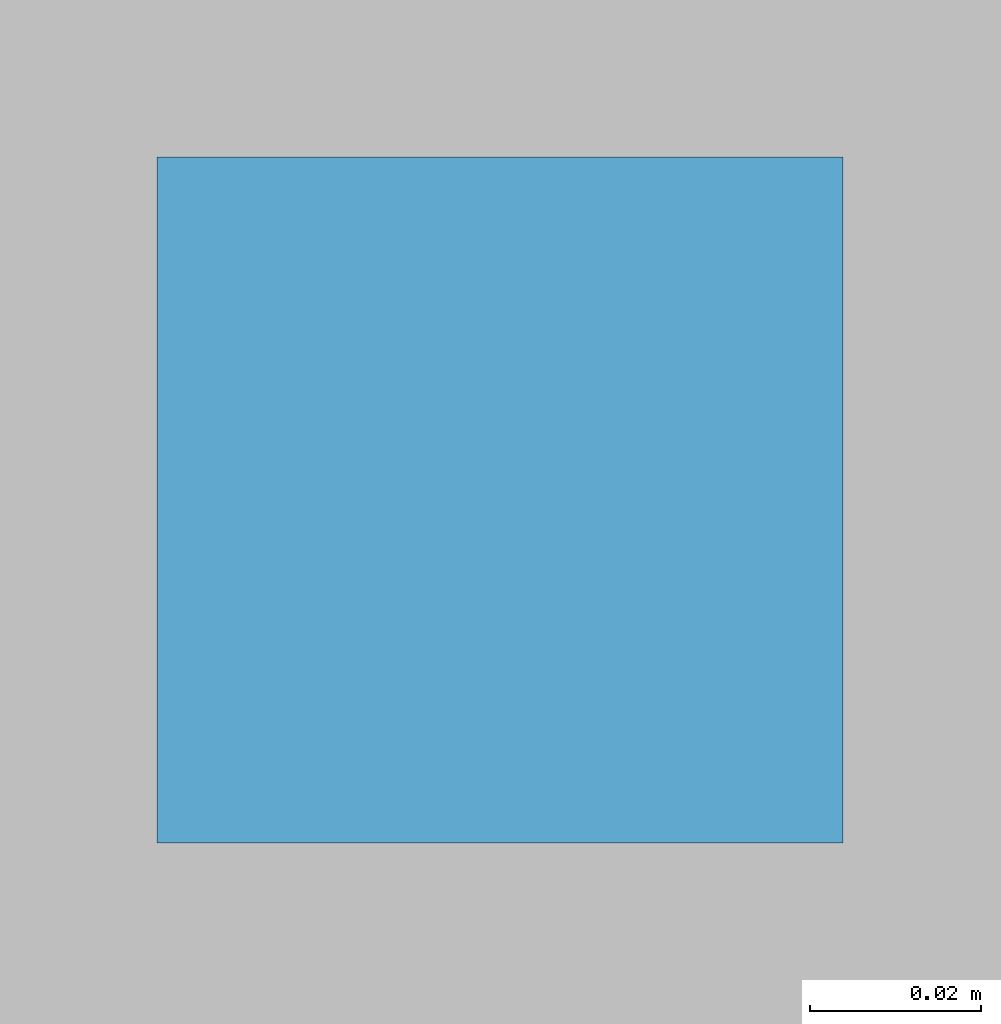
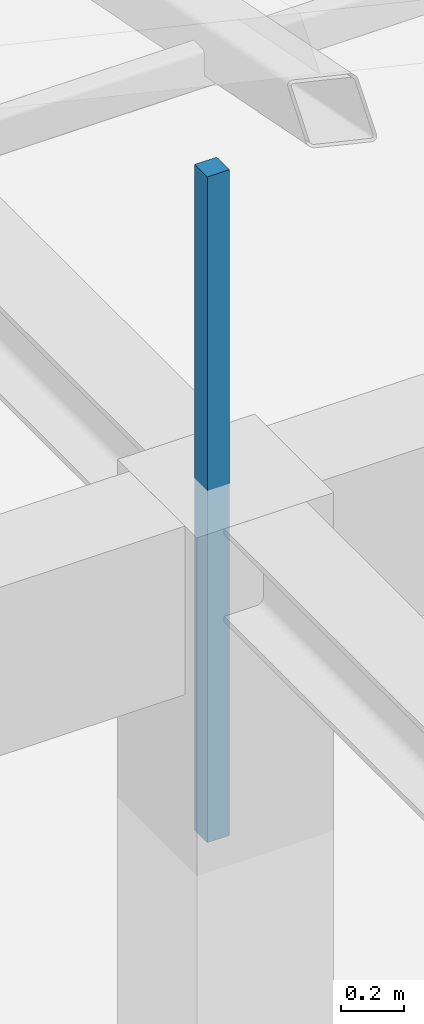
# One storey, part 59 of 65: 1 discrete accessory.
"""IFC4 building model written with IfcOpenShell, lengths in metres."""

from ifc_helpers import new_model, si_unit, direction, frame, origin, origin_2d, place, context, subcontext, project, spatial, rectangle, extrude, material, layer, layer_set, type_object, element, save


model = new_model("IFC4")

# Units and contexts
model_context = context("Model", 3, precision=1e-05, world=origin(), true_north=direction((0.0, 1.0)))
body_context = subcontext(model_context, "Body", "Model", "MODEL_VIEW")
ifc_project = project(units=[si_unit("LENGTHUNIT", "METRE"), si_unit("AREAUNIT", "SQUARE_METRE"), si_unit("VOLUMEUNIT", "CUBIC_METRE"), si_unit("PLANEANGLEUNIT", "RADIAN"), si_unit("MASSUNIT", "GRAM", prefix="KILO")], contexts=[model_context])

# Site, building, storey
site_placement = place(None, origin())
site = spatial("IfcSite", under=ifc_project, at=site_placement, CompositionType="ELEMENT")
building_placement = place(site_placement, origin())
building = spatial("IfcBuilding", under=site, at=building_placement, Name="Varnabhumi Central Station", CompositionType="ELEMENT")
storey_placement = place(building_placement, frame((0.0, 0.0, 24.60009765625)))
storey = spatial("IfcBuildingStorey", under=building, at=storey_placement, Name="L05", CompositionType="ELEMENT", Elevation=24.60009765625)

# Discrete accessory
ifc_material = material(Name="Structural steel E350", Category="steel")
ifc_layer = layer(ifc_material, 0.159912109375, Name="Structural steel E350", Category="steel")
ifc_layer_set = layer_set([ifc_layer], Name="Structural steel E350")
discrete_accessory_type = type_object("IfcDiscreteAccessoryType", Name="ACC-SHADE-BRKT", PredefinedType="BRACKET", material=ifc_layer_set)
discrete_accessory_placement = place(storey_placement, frame((47.949951171875, 27.0, 2.83984375), z_axis=(0.0, 0.0, 1.0), x_axis=(1.0, 0.0, 0.0)))
element("IfcDiscreteAccessory", 1, at=discrete_accessory_placement, inside=storey, type_object=discrete_accessory_type, Name="Railway Staff Canteen and Dining Hall Ceiling Hanger", PredefinedType="BRACKET", context=body_context, shape_type="SweptSolid", body=[
    extrude(rectangle(XDim=0.080078125, YDim=0.080078125, at=origin_2d()), origin(), (0.0, 0.0, 1.0), 2.570068359375),
])

save(model, "model.ifc")
